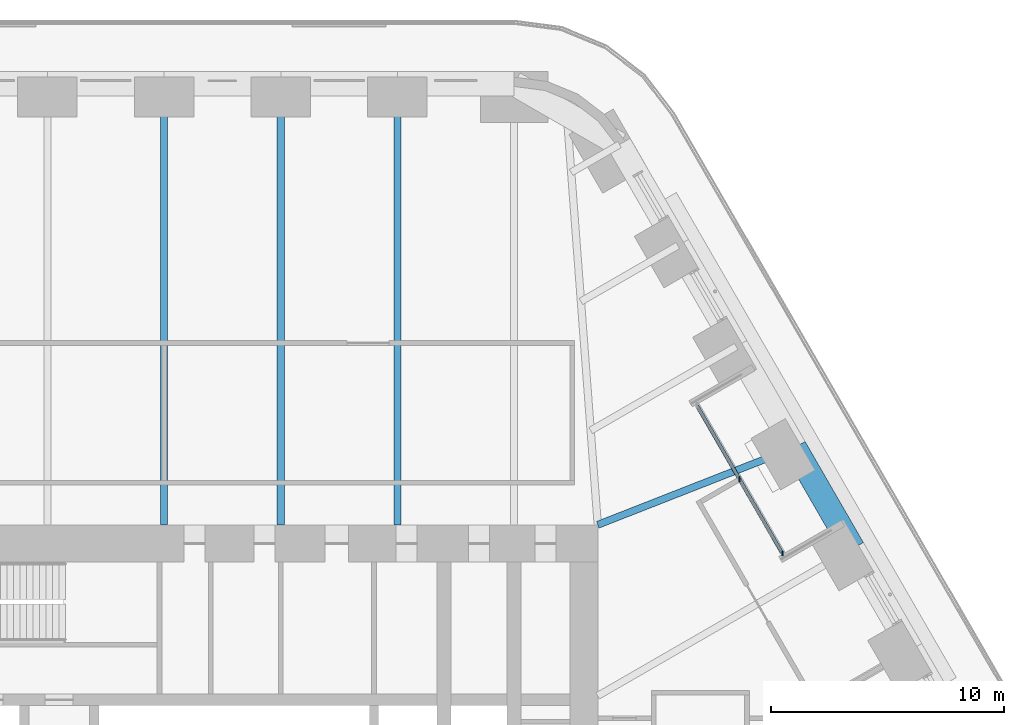
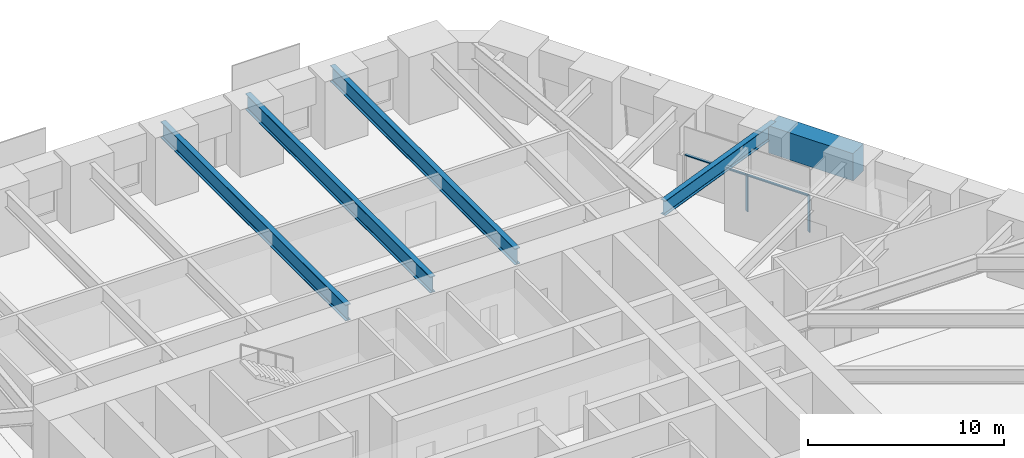
# One storey, part 11 of 24: 5 beams, 3 members, 1 element without a shape of its own.
"""IFC4 building model written with IfcOpenShell, lengths in metres."""

from ifc_helpers import new_model, si_unit, direction, frame, origin, origin_2d, place, context, subcontext, project, spatial, rectangle, i_section, extrude, material, material_profile, profile_set, type_object, element, aggregate, save


model = new_model("IFC4")

# Units and contexts
model_context = context("Model", 3, precision=1e-05, world=origin(), true_north=direction((0.0, 1.0)))
body_context = subcontext(model_context, "Body", "Model", "MODEL_VIEW")
ifc_project = project(units=[si_unit("LENGTHUNIT", "METRE"), si_unit("AREAUNIT", "SQUARE_METRE"), si_unit("VOLUMEUNIT", "CUBIC_METRE"), si_unit("PLANEANGLEUNIT", "RADIAN"), si_unit("MASSUNIT", "GRAM", prefix="KILO")], contexts=[model_context])

# Site, building, storey
site_placement = place(None, origin())
site = spatial("IfcSite", under=ifc_project, at=site_placement, CompositionType="ELEMENT")
building_placement = place(site_placement, origin())
building = spatial("IfcBuilding", under=site, at=building_placement, Name="Tarfa Lantern Tower", CompositionType="ELEMENT")
storey_placement = place(building_placement, frame((0.0, 0.0, 119.5)))
storey = spatial("IfcBuildingStorey", under=building, at=storey_placement, Name="L26", CompositionType="ELEMENT", Elevation=119.5)

# Curtain wall, members
ifc_material_1 = material(Name="Aluminium framed curtain wall", Category="aluminium")
curtain_wall_type = type_object("IfcCurtainWallType", Name="CW10 LOGGIA GLAZING 2300", PredefinedType="USERDEFINED", material=ifc_material_1)
curtain_wall_placement = place(storey_placement, origin())
curtain_wall = element("IfcCurtainWall", 1, at=curtain_wall_placement, inside=storey, type_object=curtain_wall_type, Name="CW10 NEL L26", ObjectType="CURTAIN WALL", PredefinedType="USERDEFINED")
ifc_material_2 = material(Name="Aluminium mullion", Category="aluminium")
ifc_material_profile_1 = material_profile(ifc_material_2, rectangle(XDim=0.06494140625, YDim=0.199951171875, at=origin_2d()), Name="AL MULLION 65x200")
ifc_profile_set_1 = profile_set([ifc_material_profile_1], Name="Aluminium mullion")
member_type_1 = type_object("IfcMemberType", Name="CWM1 MULLION 65x200", PredefinedType="MULLION", material=ifc_profile_set_1)
member_1_placement = place(storey_placement, frame((26.517333984375, 11.070556640625, 0.0), z_axis=(0.0, 0.0, 1.0), x_axis=(1.0, 0.0, 0.0)))
member_1 = element("IfcMember", 2, at=member_1_placement, type_object=member_type_1, Name="CW10 mullion 1", PredefinedType="MULLION", context=body_context, shape_type="SweptSolid", body=[
    extrude(rectangle(XDim=0.06494140625, YDim=0.199951171875, at=origin_2d()), origin(), (0.0, 0.0, 1.0), 2.300048828125),
])
member_2_placement = place(storey_placement, frame((24.681640625, 14.25, 0.0), z_axis=(0.0, 0.0, 1.0), x_axis=(1.0, 0.0, 0.0)))
member_2 = element("IfcMember", 3, at=member_2_placement, type_object=member_type_1, Name="CW10 mullion 2", PredefinedType="MULLION", context=body_context, shape_type="SweptSolid", body=[
    extrude(rectangle(XDim=0.06494140625, YDim=0.199951171875, at=origin_2d()), origin(), (0.0, 0.0, 1.0), 2.300048828125),
])
ifc_material_3 = material(Name="Aluminium transom", Category="aluminium")
ifc_material_profile_2 = material_profile(ifc_material_3, rectangle(XDim=0.14990234375, YDim=0.06494140625, at=origin_2d()), Name="AL TRANSOM 150x65")
ifc_profile_set_2 = profile_set([ifc_material_profile_2], Name="Aluminium transom")
member_type_2 = type_object("IfcMemberType", Name="CWT1 TRANSOM 150x65", PredefinedType="USERDEFINED", material=ifc_profile_set_2)
member_3_placement = place(storey_placement, frame((26.5009765625, 11.098876953125, 2.267578125), z_axis=(-0.500007048974, 0.866021334019, 0.0), x_axis=(-0.866021334019, -0.500007048974, 0.0)))
member_3 = element("IfcMember", 4, at=member_3_placement, type_object=member_type_2, Name="CW10 transom 1.2", ObjectType="TRANSOM", PredefinedType="USERDEFINED", context=body_context, shape_type="SweptSolid", body=[
    extrude(rectangle(XDim=0.14990234375, YDim=0.06494140625, at=origin_2d()), origin(), (0.0, 0.0, 1.0), 7.27734375),
])
aggregate(curtain_wall, [member_1, member_2, member_3])

# Beams
ifc_material_4 = material(Name="Concrete C80/95", Category="concrete")
ifc_material_profile_3 = material_profile(ifc_material_4, rectangle(XDim=1.050048828125, YDim=1.699951171875, at=origin_2d()), Name="RC 1050x1700")
ifc_profile_set_3 = profile_set([ifc_material_profile_3], Name="Concrete C80/95")
beam_type_1 = type_object("IfcBeamType", Name="RB2 RC 1050x1700", PredefinedType="BEAM", material=ifc_profile_set_3)
beam_1_placement = place(storey_placement, frame((29.5390625, 11.276611328125, 3.14990234375), z_axis=(-0.499964603504, 0.866045838996, 0.0), x_axis=(-0.866045838996, -0.499964603504, 0.0)))
element("IfcBeam", 5, at=beam_1_placement, inside=storey, type_object=beam_type_1, Name="Edge beam NE2", PredefinedType="BEAM", context=body_context, shape_type="SweptSolid", body=[
    extrude(rectangle(XDim=1.050048828125, YDim=1.699951171875, at=origin_2d()), origin(), (0.0, 0.0, 1.0), 5.003662109375),
])
ifc_material_5 = material(Name="Steel S460M", Category="steel")
ifc_material_profile_4 = material_profile(ifc_material_5, i_section(OverallWidth=0.302001953125, OverallDepth=1.008056640625, WebThickness=0.02099609375, FlangeThickness=0.0400390625, FilletRadius=0.030029296875, at=origin_2d()), Name="UB1016x305x349")
ifc_profile_set_4 = profile_set([ifc_material_profile_4], Name="Steel S460M")
beam_type_2 = type_object("IfcBeamType", Name="UB1016x305x349", PredefinedType="BEAM", material=ifc_profile_set_4)
for number, where, z_axis, x_axis, name in (
    (6, (10.00732421875, 31.219970703125, 3.495849609375), (0.0, -1.0, 0.0), (1.0, 0.0, 0.0), "Floor beam N1"),
    (7, (5.003662109375, 31.219970703125, 3.495849609375), (0.0, -1.0, 0.0), (1.0, 0.0, 0.0), "Floor beam N2"),
    (8, (0.0, 31.219970703125, 3.495849609375), (0.0, -1.0, 0.0), (1.0, 0.0, 0.0), "Floor beam N3"),
):
    element("IfcBeam", number, at=place(storey_placement, frame(where, z_axis=z_axis, x_axis=x_axis)), inside=storey, type_object=beam_type_2, Name=name, PredefinedType="BEAM", context=body_context, shape_type="SweptSolid", body=[
        extrude(i_section(OverallWidth=0.302001953125, OverallDepth=1.008056640625, WebThickness=0.02099609375, FlangeThickness=0.0400390625, FilletRadius=0.030029296875, at=origin_2d()), origin(), (0.0, 0.0, 1.0), 18.919921875),
    ])
ifc_material_profile_5 = material_profile(ifc_material_5, i_section(OverallWidth=0.305419921875, OverallDepth=0.91845703125, WebThickness=0.017333984375, FlangeThickness=0.02783203125, FilletRadius=0.01904296875, at=origin_2d()), Name="UB914x305x253")
ifc_profile_set_5 = profile_set([ifc_material_profile_5], Name="Steel S460M")
beam_type_3 = type_object("IfcBeamType", Name="UB914x305x253", PredefinedType="BEAM", material=ifc_profile_set_5)
beam_2_placement = place(storey_placement, frame((27.037353515625, 15.610107421875, 3.540771484375), z_axis=(-0.930923282782, -0.365214788274, 0.0), x_axis=(0.365214788274, -0.930923282782, 0.0)))
element("IfcBeam", 9, at=beam_2_placement, inside=storey, type_object=beam_type_3, Name="Floor beam NE3", PredefinedType="BEAM", context=body_context, shape_type="SweptSolid", body=[
    extrude(i_section(OverallWidth=0.305419921875, OverallDepth=0.91845703125, WebThickness=0.017333984375, FlangeThickness=0.02783203125, FilletRadius=0.01904296875, at=origin_2d()), origin(), (0.0, 0.0, 1.0), 9.063232421875),
])

save(model, "model.ifc")
